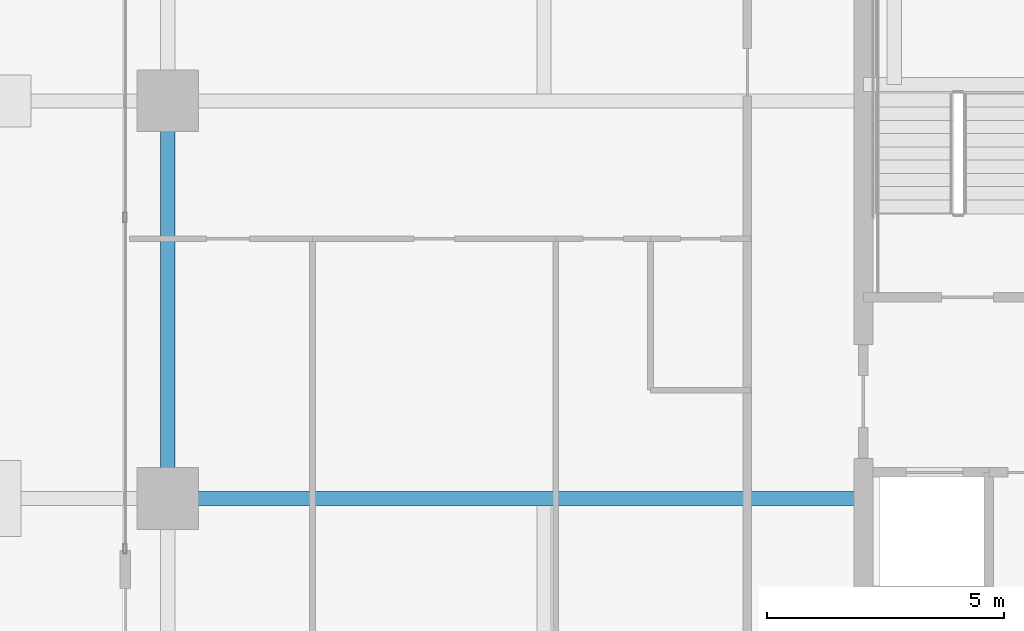
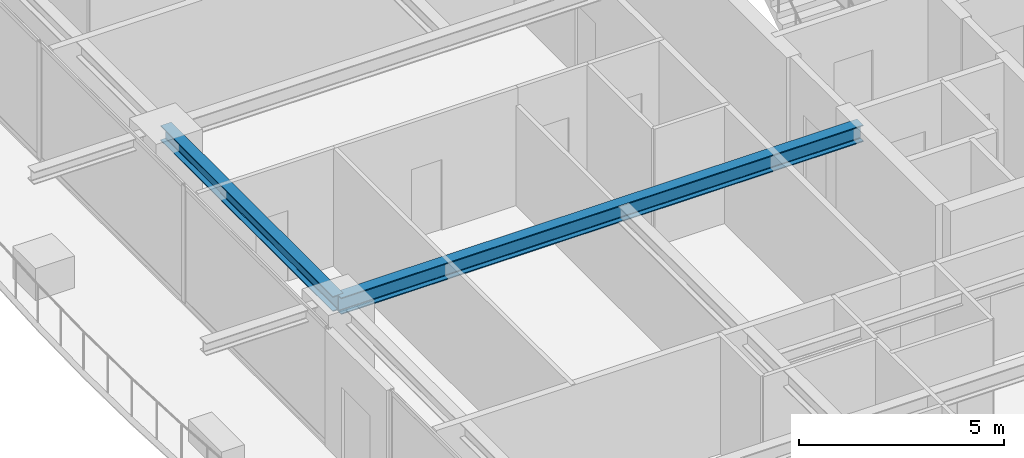
# One storey, part 9 of 37: 2 beams.
"""IFC4 building model written with IfcOpenShell, lengths in metres."""

from ifc_helpers import new_model, si_unit, direction, frame, origin, origin_2d, place, context, subcontext, project, spatial, i_section, extrude, source, transform, mapped, material, material_profile, profile_set, type_object, element, save


model = new_model("IFC4")

# Units and contexts
model_context = context("Model", 3, precision=1e-05, world=origin(), true_north=direction((0.0, 1.0)))
body_context = subcontext(model_context, "Body", "Model", "MODEL_VIEW")
ifc_project = project(units=[si_unit("LENGTHUNIT", "METRE"), si_unit("AREAUNIT", "SQUARE_METRE"), si_unit("VOLUMEUNIT", "CUBIC_METRE"), si_unit("PLANEANGLEUNIT", "RADIAN"), si_unit("MASSUNIT", "GRAM", prefix="KILO")], contexts=[model_context])

# Site, building, storey
site_placement = place(None, origin())
site = spatial("IfcSite", under=ifc_project, at=site_placement, CompositionType="ELEMENT")
building_placement = place(site_placement, origin())
building = spatial("IfcBuilding", under=site, at=building_placement, Name="Serunith Strait Residences", CompositionType="ELEMENT")
storey_placement = place(building_placement, frame((0.0, 0.0, 138.89990234375)))
storey = spatial("IfcBuildingStorey", under=building, at=storey_placement, Name="L34", CompositionType="ELEMENT", Elevation=138.89990234375)

# Beams
ifc_material = material(Name="Steel S355J2", Category="steel")
ifc_material_profile_1 = material_profile(ifc_material, i_section(OverallWidth=0.300048828125, OverallDepth=0.449951171875, WebThickness=0.013916015625, FlangeThickness=0.02587890625, FilletRadius=0.027099609375, at=origin_2d()), Name="HEB 450")
ifc_profile_set_1 = profile_set([ifc_material_profile_1], Name="Steel S355J2")
beam_type_1 = type_object("IfcBeamType", Name="BM-HEB450", PredefinedType="BEAM", material=ifc_profile_set_1)
shared_shape_1 = source(origin(), body_context, "Body", "SweptSolid", [
    extrude(i_section(OverallWidth=0.300048828125, OverallDepth=0.449951171875, WebThickness=0.013916015625, FlangeThickness=0.02587890625, FilletRadius=0.027099609375, at=origin_2d()), origin(), (0.0, 0.0, 1.0), 8.39990234375),
])
beam_1_placement = place(storey_placement, frame((8.699951171875, 29.39990234375, 3.26220703125), z_axis=(0.0, -1.0, 0.0), x_axis=(1.0, 0.0, 0.0)))
element("IfcBeam", 1, at=beam_1_placement, inside=storey, type_object=beam_type_1, Name="L34 Perimeter Ring Beam 14", PredefinedType="BEAM", context=body_context, shape_type="MappedRepresentation", body=[
    mapped(shared_shape_1, transform((0.0, 0.0, 0.0), scale=1.0)),
])
ifc_material_profile_2 = material_profile(ifc_material, i_section(OverallWidth=0.300048828125, OverallDepth=0.5, WebThickness=0.014404296875, FlangeThickness=0.028076171875, FilletRadius=0.027099609375, at=origin_2d()), Name="HEB 500")
ifc_profile_set_2 = profile_set([ifc_material_profile_2], Name="Steel S355J2")
beam_type_2 = type_object("IfcBeamType", Name="BM-HEB500", PredefinedType="BEAM", material=ifc_profile_set_2)
shared_shape_2 = source(origin(), body_context, "Body", "SweptSolid", [
    extrude(i_section(OverallWidth=0.300048828125, OverallDepth=0.5, WebThickness=0.014404296875, FlangeThickness=0.028076171875, FilletRadius=0.027099609375, at=origin_2d()), origin(), (0.0, 0.0, 1.0), 14.699951171875),
])
beam_2_placement = place(storey_placement, frame((23.39990234375, 21.0, 3.237060546875), z_axis=(-1.0, 0.0, 0.0), x_axis=(0.0, -1.0, 0.0)))
element("IfcBeam", 2, at=beam_2_placement, inside=storey, type_object=beam_type_2, Name="L34 Primary Floor Girder TC-W2", PredefinedType="BEAM", context=body_context, shape_type="MappedRepresentation", body=[
    mapped(shared_shape_2, transform((0.0, 0.0, 0.0), scale=1.0)),
])

save(model, "model.ifc")
